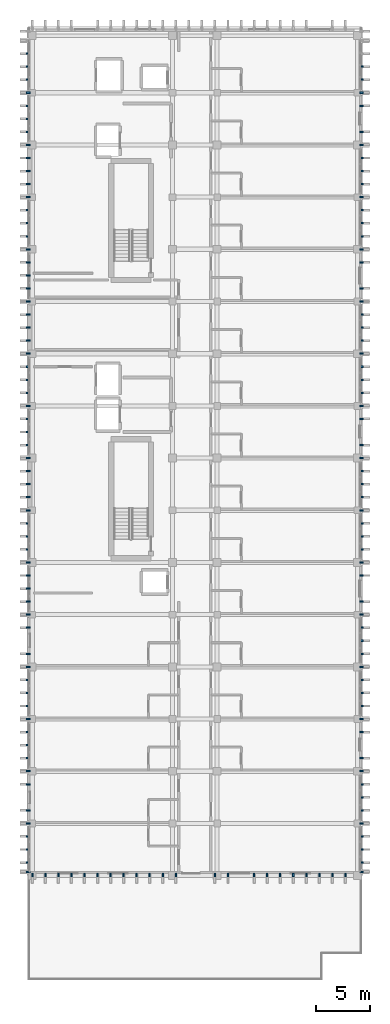
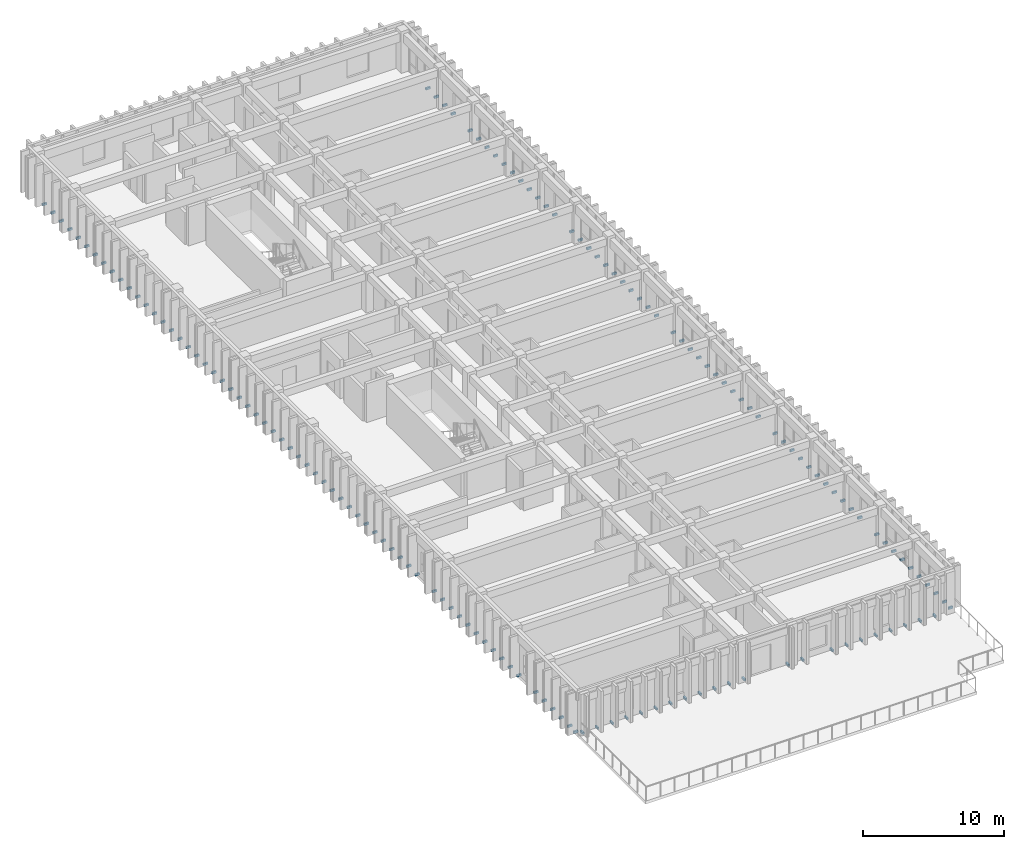
# One storey, part 52 of 59: 142 discrete accessories.
"""IFC4 building model written with IfcOpenShell, lengths in metres."""

from ifc_helpers import new_model, si_unit, direction, frame, origin, origin_2d, place, context, subcontext, project, spatial, rectangle, extrude, material, type_object, element, save


model = new_model("IFC4")

# Units and contexts
model_context = context("Model", 3, precision=1e-05, world=origin(), true_north=direction((0.0, 1.0)))
body_context = subcontext(model_context, "Body", "Model", "MODEL_VIEW")
ifc_project = project(units=[si_unit("LENGTHUNIT", "METRE"), si_unit("AREAUNIT", "SQUARE_METRE"), si_unit("VOLUMEUNIT", "CUBIC_METRE"), si_unit("PLANEANGLEUNIT", "RADIAN"), si_unit("MASSUNIT", "GRAM", prefix="KILO")], contexts=[model_context])

# Site, building, storey
site_placement = place(None, origin())
site = spatial("IfcSite", under=ifc_project, at=site_placement, CompositionType="ELEMENT")
building_placement = place(site_placement, origin())
building = spatial("IfcBuilding", under=site, at=building_placement, Name="Nakhvara Creek Congress Hotel", CompositionType="ELEMENT")
storey_placement = place(building_placement, frame((0.0, 0.0, 31.800048828125)))
storey = spatial("IfcBuildingStorey", under=building, at=storey_placement, Name="L07", CompositionType="ELEMENT", Elevation=31.800048828125)

# Discrete accessories
ifc_material = material(Name="Brushed stainless steel 316L", Category="steel")
discrete_accessory_type = type_object("IfcDiscreteAccessoryType", Name="ACC-BRK-SS316", PredefinedType="BRACKET", material=ifc_material)
for number, where, z_axis, x_axis, name in (
    (1, (179.72998046875, 48.35009765625, -0.10986328125), (0.0, 0.0, 1.0), (0.0, 1.0, 0.0), "Stainless Fin Bracket BK01-1670"),
    (2, (149.070068359375, 48.35009765625, -0.10986328125), (0.0, 0.0, 1.0), (0.0, 1.0, 0.0), "Stainless Fin Bracket BK01-1671"),
    (3, (179.72998046875, 49.199951171875, -0.10986328125), (0.0, 0.0, 1.0), (0.0, 1.0, 0.0), "Stainless Fin Bracket BK01-1672"),
    (4, (149.070068359375, 49.199951171875, -0.10986328125), (0.0, 0.0, 1.0), (0.0, 1.0, 0.0), "Stainless Fin Bracket BK01-1673"),
    (5, (179.72998046875, 50.39990234375, -0.10986328125), (0.0, 0.0, 1.0), (0.0, 1.0, 0.0), "Stainless Fin Bracket BK01-1674"),
    (6, (149.070068359375, 50.39990234375, -0.10986328125), (0.0, 0.0, 1.0), (0.0, 1.0, 0.0), "Stainless Fin Bracket BK01-1675"),
    (7, (179.72998046875, 51.60009765625, -0.10986328125), (0.0, 0.0, 1.0), (0.0, 1.0, 0.0), "Stainless Fin Bracket BK01-1676"),
    (8, (149.070068359375, 51.60009765625, -0.10986328125), (0.0, 0.0, 1.0), (0.0, 1.0, 0.0), "Stainless Fin Bracket BK01-1677"),
    (9, (179.72998046875, 52.800048828125, -0.10986328125), (0.0, 0.0, 1.0), (0.0, 1.0, 0.0), "Stainless Fin Bracket BK01-1678"),
    (10, (149.070068359375, 52.800048828125, -0.10986328125), (0.0, 0.0, 1.0), (0.0, 1.0, 0.0), "Stainless Fin Bracket BK01-1679"),
    (11, (179.72998046875, 54.0, -0.10986328125), (0.0, 0.0, 1.0), (0.0, 1.0, 0.0), "Stainless Fin Bracket BK01-1680"),
    (12, (149.070068359375, 54.0, -0.10986328125), (0.0, 0.0, 1.0), (0.0, 1.0, 0.0), "Stainless Fin Bracket BK01-1681"),
    (13, (179.72998046875, 55.199951171875, -0.10986328125), (0.0, 0.0, 1.0), (0.0, 1.0, 0.0), "Stainless Fin Bracket BK01-1682"),
    (14, (179.72998046875, 56.39990234375, -0.10986328125), (0.0, 0.0, 1.0), (0.0, 1.0, 0.0), "Stainless Fin Bracket BK01-1683"),
    (15, (149.070068359375, 56.39990234375, -0.10986328125), (0.0, 0.0, 1.0), (0.0, 1.0, 0.0), "Stainless Fin Bracket BK01-1684"),
    (16, (179.72998046875, 57.60009765625, -0.10986328125), (0.0, 0.0, 1.0), (0.0, 1.0, 0.0), "Stainless Fin Bracket BK01-1685"),
    (17, (149.070068359375, 57.60009765625, -0.10986328125), (0.0, 0.0, 1.0), (0.0, 1.0, 0.0), "Stainless Fin Bracket BK01-1686"),
    (18, (179.72998046875, 58.800048828125, -0.10986328125), (0.0, 0.0, 1.0), (0.0, 1.0, 0.0), "Stainless Fin Bracket BK01-1687"),
    (19, (149.070068359375, 58.800048828125, -0.10986328125), (0.0, 0.0, 1.0), (0.0, 1.0, 0.0), "Stainless Fin Bracket BK01-1688"),
    (20, (149.070068359375, 60.0, -0.10986328125), (0.0, 0.0, 1.0), (0.0, 1.0, 0.0), "Stainless Fin Bracket BK01-1689"),
    (21, (179.72998046875, 61.199951171875, -0.10986328125), (0.0, 0.0, 1.0), (0.0, 1.0, 0.0), "Stainless Fin Bracket BK01-1690"),
    (22, (149.070068359375, 61.199951171875, -0.10986328125), (0.0, 0.0, 1.0), (0.0, 1.0, 0.0), "Stainless Fin Bracket BK01-1691"),
    (23, (179.72998046875, 62.39990234375, -0.10986328125), (0.0, 0.0, 1.0), (0.0, 1.0, 0.0), "Stainless Fin Bracket BK01-1692"),
    (24, (149.070068359375, 62.39990234375, -0.10986328125), (0.0, 0.0, 1.0), (0.0, 1.0, 0.0), "Stainless Fin Bracket BK01-1693"),
    (25, (179.72998046875, 63.60009765625, -0.10986328125), (0.0, 0.0, 1.0), (0.0, 1.0, 0.0), "Stainless Fin Bracket BK01-1694"),
    (26, (149.070068359375, 63.60009765625, -0.10986328125), (0.0, 0.0, 1.0), (0.0, 1.0, 0.0), "Stainless Fin Bracket BK01-1695"),
    (27, (179.72998046875, 64.800048828125, -0.10986328125), (0.0, 0.0, 1.0), (0.0, 1.0, 0.0), "Stainless Fin Bracket BK01-1696"),
    (28, (149.070068359375, 64.800048828125, -0.10986328125), (0.0, 0.0, 1.0), (0.0, 1.0, 0.0), "Stainless Fin Bracket BK01-1697"),
    (29, (179.72998046875, 66.0, -0.10986328125), (0.0, 0.0, 1.0), (0.0, 1.0, 0.0), "Stainless Fin Bracket BK01-1698"),
    (30, (149.070068359375, 66.0, -0.10986328125), (0.0, 0.0, 1.0), (0.0, 1.0, 0.0), "Stainless Fin Bracket BK01-1699"),
    (31, (179.72998046875, 67.199951171875, -0.10986328125), (0.0, 0.0, 1.0), (0.0, 1.0, 0.0), "Stainless Fin Bracket BK01-1700"),
    (32, (149.070068359375, 67.199951171875, -0.10986328125), (0.0, 0.0, 1.0), (0.0, 1.0, 0.0), "Stainless Fin Bracket BK01-1701"),
    (33, (179.72998046875, 68.39990234375, -0.10986328125), (0.0, 0.0, 1.0), (0.0, 1.0, 0.0), "Stainless Fin Bracket BK01-1702"),
    (34, (149.070068359375, 68.39990234375, -0.10986328125), (0.0, 0.0, 1.0), (0.0, 1.0, 0.0), "Stainless Fin Bracket BK01-1703"),
    (35, (179.72998046875, 69.60009765625, -0.10986328125), (0.0, 0.0, 1.0), (0.0, 1.0, 0.0), "Stainless Fin Bracket BK01-1704"),
    (36, (179.72998046875, 70.800048828125, -0.10986328125), (0.0, 0.0, 1.0), (0.0, 1.0, 0.0), "Stainless Fin Bracket BK01-1705"),
    (37, (149.070068359375, 70.800048828125, -0.10986328125), (0.0, 0.0, 1.0), (0.0, 1.0, 0.0), "Stainless Fin Bracket BK01-1706"),
    (38, (179.72998046875, 72.0, -0.10986328125), (0.0, 0.0, 1.0), (0.0, 1.0, 0.0), "Stainless Fin Bracket BK01-1707"),
    (39, (149.070068359375, 72.0, -0.10986328125), (0.0, 0.0, 1.0), (0.0, 1.0, 0.0), "Stainless Fin Bracket BK01-1708"),
    (40, (179.72998046875, 73.199951171875, -0.10986328125), (0.0, 0.0, 1.0), (0.0, 1.0, 0.0), "Stainless Fin Bracket BK01-1709"),
    (41, (149.070068359375, 73.199951171875, -0.10986328125), (0.0, 0.0, 1.0), (0.0, 1.0, 0.0), "Stainless Fin Bracket BK01-1710"),
    (42, (149.070068359375, 74.39990234375, -0.10986328125), (0.0, 0.0, 1.0), (0.0, 1.0, 0.0), "Stainless Fin Bracket BK01-1711"),
    (43, (179.72998046875, 75.60009765625, -0.10986328125), (0.0, 0.0, 1.0), (0.0, 1.0, 0.0), "Stainless Fin Bracket BK01-1712"),
    (44, (149.070068359375, 75.60009765625, -0.10986328125), (0.0, 0.0, 1.0), (0.0, 1.0, 0.0), "Stainless Fin Bracket BK01-1713"),
    (45, (179.72998046875, 76.800048828125, -0.10986328125), (0.0, 0.0, 1.0), (0.0, 1.0, 0.0), "Stainless Fin Bracket BK01-1714"),
    (46, (149.070068359375, 76.800048828125, -0.10986328125), (0.0, 0.0, 1.0), (0.0, 1.0, 0.0), "Stainless Fin Bracket BK01-1715"),
    (47, (179.72998046875, 78.0, -0.10986328125), (0.0, 0.0, 1.0), (0.0, 1.0, 0.0), "Stainless Fin Bracket BK01-1716"),
    (48, (149.070068359375, 78.0, -0.10986328125), (0.0, 0.0, 1.0), (0.0, 1.0, 0.0), "Stainless Fin Bracket BK01-1717"),
    (49, (179.72998046875, 79.199951171875, -0.10986328125), (0.0, 0.0, 1.0), (0.0, 1.0, 0.0), "Stainless Fin Bracket BK01-1718"),
    (50, (149.070068359375, 79.199951171875, -0.10986328125), (0.0, 0.0, 1.0), (0.0, 1.0, 0.0), "Stainless Fin Bracket BK01-1719"),
    (51, (179.72998046875, 80.39990234375, -0.10986328125), (0.0, 0.0, 1.0), (0.0, 1.0, 0.0), "Stainless Fin Bracket BK01-1720"),
    (52, (149.070068359375, 80.39990234375, -0.10986328125), (0.0, 0.0, 1.0), (0.0, 1.0, 0.0), "Stainless Fin Bracket BK01-1721"),
    (53, (179.72998046875, 81.60009765625, -0.10986328125), (0.0, 0.0, 1.0), (0.0, 1.0, 0.0), "Stainless Fin Bracket BK01-1722"),
    (54, (149.070068359375, 81.60009765625, -0.10986328125), (0.0, 0.0, 1.0), (0.0, 1.0, 0.0), "Stainless Fin Bracket BK01-1723"),
    (55, (179.72998046875, 82.800048828125, -0.10986328125), (0.0, 0.0, 1.0), (0.0, 1.0, 0.0), "Stainless Fin Bracket BK01-1724"),
    (56, (149.070068359375, 82.800048828125, -0.10986328125), (0.0, 0.0, 1.0), (0.0, 1.0, 0.0), "Stainless Fin Bracket BK01-1725"),
    (57, (179.72998046875, 84.0, -0.10986328125), (0.0, 0.0, 1.0), (0.0, 1.0, 0.0), "Stainless Fin Bracket BK01-1726"),
    (58, (149.070068359375, 84.0, -0.10986328125), (0.0, 0.0, 1.0), (0.0, 1.0, 0.0), "Stainless Fin Bracket BK01-1727"),
    (59, (179.72998046875, 85.199951171875, -0.10986328125), (0.0, 0.0, 1.0), (0.0, 1.0, 0.0), "Stainless Fin Bracket BK01-1728"),
    (60, (149.070068359375, 85.199951171875, -0.10986328125), (0.0, 0.0, 1.0), (0.0, 1.0, 0.0), "Stainless Fin Bracket BK01-1729"),
    (61, (179.72998046875, 86.39990234375, -0.10986328125), (0.0, 0.0, 1.0), (0.0, 1.0, 0.0), "Stainless Fin Bracket BK01-1730"),
    (62, (149.070068359375, 86.39990234375, -0.10986328125), (0.0, 0.0, 1.0), (0.0, 1.0, 0.0), "Stainless Fin Bracket BK01-1731"),
    (63, (179.72998046875, 87.60009765625, -0.10986328125), (0.0, 0.0, 1.0), (0.0, 1.0, 0.0), "Stainless Fin Bracket BK01-1732"),
    (64, (149.070068359375, 87.60009765625, -0.10986328125), (0.0, 0.0, 1.0), (0.0, 1.0, 0.0), "Stainless Fin Bracket BK01-1733"),
    (65, (149.070068359375, 88.800048828125, -0.10986328125), (0.0, 0.0, 1.0), (0.0, 1.0, 0.0), "Stainless Fin Bracket BK01-1734"),
    (66, (179.72998046875, 90.0, -0.10986328125), (0.0, 0.0, 1.0), (0.0, 1.0, 0.0), "Stainless Fin Bracket BK01-1735"),
    (67, (149.070068359375, 90.0, -0.10986328125), (0.0, 0.0, 1.0), (0.0, 1.0, 0.0), "Stainless Fin Bracket BK01-1736"),
    (68, (179.72998046875, 91.199951171875, -0.10986328125), (0.0, 0.0, 1.0), (0.0, 1.0, 0.0), "Stainless Fin Bracket BK01-1737"),
    (69, (149.070068359375, 91.199951171875, -0.10986328125), (0.0, 0.0, 1.0), (0.0, 1.0, 0.0), "Stainless Fin Bracket BK01-1738"),
    (70, (179.72998046875, 92.39990234375, -0.10986328125), (0.0, 0.0, 1.0), (0.0, 1.0, 0.0), "Stainless Fin Bracket BK01-1739"),
    (71, (149.070068359375, 92.39990234375, -0.10986328125), (0.0, 0.0, 1.0), (0.0, 1.0, 0.0), "Stainless Fin Bracket BK01-1740"),
    (72, (179.72998046875, 93.60009765625, -0.10986328125), (0.0, 0.0, 1.0), (0.0, 1.0, 0.0), "Stainless Fin Bracket BK01-1741"),
    (73, (149.070068359375, 93.60009765625, -0.10986328125), (0.0, 0.0, 1.0), (0.0, 1.0, 0.0), "Stainless Fin Bracket BK01-1742"),
    (74, (179.72998046875, 94.800048828125, -0.10986328125), (0.0, 0.0, 1.0), (0.0, 1.0, 0.0), "Stainless Fin Bracket BK01-1743"),
    (75, (149.070068359375, 94.800048828125, -0.10986328125), (0.0, 0.0, 1.0), (0.0, 1.0, 0.0), "Stainless Fin Bracket BK01-1744"),
    (76, (179.72998046875, 96.0, -0.10986328125), (0.0, 0.0, 1.0), (0.0, 1.0, 0.0), "Stainless Fin Bracket BK01-1745"),
    (77, (149.070068359375, 96.0, -0.10986328125), (0.0, 0.0, 1.0), (0.0, 1.0, 0.0), "Stainless Fin Bracket BK01-1746"),
    (78, (179.72998046875, 97.199951171875, -0.10986328125), (0.0, 0.0, 1.0), (0.0, 1.0, 0.0), "Stainless Fin Bracket BK01-1747"),
    (79, (149.070068359375, 97.199951171875, -0.10986328125), (0.0, 0.0, 1.0), (0.0, 1.0, 0.0), "Stainless Fin Bracket BK01-1748"),
    (80, (179.72998046875, 98.39990234375, -0.10986328125), (0.0, 0.0, 1.0), (0.0, 1.0, 0.0), "Stainless Fin Bracket BK01-1749"),
    (81, (149.070068359375, 98.39990234375, -0.10986328125), (0.0, 0.0, 1.0), (0.0, 1.0, 0.0), "Stainless Fin Bracket BK01-1750"),
    (82, (179.72998046875, 99.60009765625, -0.10986328125), (0.0, 0.0, 1.0), (0.0, 1.0, 0.0), "Stainless Fin Bracket BK01-1751"),
    (83, (149.070068359375, 99.60009765625, -0.10986328125), (0.0, 0.0, 1.0), (0.0, 1.0, 0.0), "Stainless Fin Bracket BK01-1752"),
    (84, (179.72998046875, 100.800048828125, -0.10986328125), (0.0, 0.0, 1.0), (0.0, 1.0, 0.0), "Stainless Fin Bracket BK01-1753"),
    (85, (149.070068359375, 100.800048828125, -0.10986328125), (0.0, 0.0, 1.0), (0.0, 1.0, 0.0), "Stainless Fin Bracket BK01-1754"),
    (86, (179.72998046875, 102.0, -0.10986328125), (0.0, 0.0, 1.0), (0.0, 1.0, 0.0), "Stainless Fin Bracket BK01-1755"),
    (87, (149.070068359375, 102.0, -0.10986328125), (0.0, 0.0, 1.0), (0.0, 1.0, 0.0), "Stainless Fin Bracket BK01-1756"),
    (88, (149.070068359375, 103.199951171875, -0.10986328125), (0.0, 0.0, 1.0), (0.0, 1.0, 0.0), "Stainless Fin Bracket BK01-1757"),
    (89, (179.72998046875, 104.39990234375, -0.10986328125), (0.0, 0.0, 1.0), (0.0, 1.0, 0.0), "Stainless Fin Bracket BK01-1758"),
    (90, (149.070068359375, 104.39990234375, -0.10986328125), (0.0, 0.0, 1.0), (0.0, 1.0, 0.0), "Stainless Fin Bracket BK01-1759"),
    (91, (179.72998046875, 105.60009765625, -0.10986328125), (0.0, 0.0, 1.0), (0.0, 1.0, 0.0), "Stainless Fin Bracket BK01-1760"),
    (92, (149.070068359375, 105.60009765625, -0.10986328125), (0.0, 0.0, 1.0), (0.0, 1.0, 0.0), "Stainless Fin Bracket BK01-1761"),
    (93, (179.72998046875, 106.800048828125, -0.10986328125), (0.0, 0.0, 1.0), (0.0, 1.0, 0.0), "Stainless Fin Bracket BK01-1762"),
    (94, (149.070068359375, 106.800048828125, -0.10986328125), (0.0, 0.0, 1.0), (0.0, 1.0, 0.0), "Stainless Fin Bracket BK01-1763"),
    (95, (179.72998046875, 108.0, -0.10986328125), (0.0, 0.0, 1.0), (0.0, 1.0, 0.0), "Stainless Fin Bracket BK01-1764"),
    (96, (149.070068359375, 108.0, -0.10986328125), (0.0, 0.0, 1.0), (0.0, 1.0, 0.0), "Stainless Fin Bracket BK01-1765"),
    (97, (179.72998046875, 109.199951171875, -0.10986328125), (0.0, 0.0, 1.0), (0.0, 1.0, 0.0), "Stainless Fin Bracket BK01-1766"),
    (98, (149.070068359375, 109.199951171875, -0.10986328125), (0.0, 0.0, 1.0), (0.0, 1.0, 0.0), "Stainless Fin Bracket BK01-1767"),
    (99, (179.72998046875, 110.39990234375, -0.10986328125), (0.0, 0.0, 1.0), (0.0, 1.0, 0.0), "Stainless Fin Bracket BK01-1768"),
    (100, (149.070068359375, 110.39990234375, -0.10986328125), (0.0, 0.0, 1.0), (0.0, 1.0, 0.0), "Stainless Fin Bracket BK01-1769"),
    (101, (179.72998046875, 111.60009765625, -0.10986328125), (0.0, 0.0, 1.0), (0.0, 1.0, 0.0), "Stainless Fin Bracket BK01-1770"),
    (102, (149.070068359375, 111.60009765625, -0.10986328125), (0.0, 0.0, 1.0), (0.0, 1.0, 0.0), "Stainless Fin Bracket BK01-1771"),
    (103, (179.72998046875, 112.800048828125, -0.10986328125), (0.0, 0.0, 1.0), (0.0, 1.0, 0.0), "Stainless Fin Bracket BK01-1772"),
    (104, (149.070068359375, 112.800048828125, -0.10986328125), (0.0, 0.0, 1.0), (0.0, 1.0, 0.0), "Stainless Fin Bracket BK01-1773"),
    (105, (179.72998046875, 114.0, -0.10986328125), (0.0, 0.0, 1.0), (0.0, 1.0, 0.0), "Stainless Fin Bracket BK01-1774"),
    (106, (149.070068359375, 114.0, -0.10986328125), (0.0, 0.0, 1.0), (0.0, 1.0, 0.0), "Stainless Fin Bracket BK01-1775"),
    (107, (179.72998046875, 115.199951171875, -0.10986328125), (0.0, 0.0, 1.0), (0.0, 1.0, 0.0), "Stainless Fin Bracket BK01-1776"),
    (108, (149.070068359375, 115.199951171875, -0.10986328125), (0.0, 0.0, 1.0), (0.0, 1.0, 0.0), "Stainless Fin Bracket BK01-1777"),
    (109, (179.72998046875, 116.39990234375, -0.10986328125), (0.0, 0.0, 1.0), (0.0, 1.0, 0.0), "Stainless Fin Bracket BK01-1778"),
    (110, (149.070068359375, 116.39990234375, -0.10986328125), (0.0, 0.0, 1.0), (0.0, 1.0, 0.0), "Stainless Fin Bracket BK01-1779"),
    (111, (149.070068359375, 117.60009765625, -0.10986328125), (0.0, 0.0, 1.0), (0.0, 1.0, 0.0), "Stainless Fin Bracket BK01-1780"),
    (112, (179.72998046875, 118.800048828125, -0.10986328125), (0.0, 0.0, 1.0), (0.0, 1.0, 0.0), "Stainless Fin Bracket BK01-1781"),
    (113, (149.070068359375, 118.800048828125, -0.10986328125), (0.0, 0.0, 1.0), (0.0, 1.0, 0.0), "Stainless Fin Bracket BK01-1782"),
    (114, (179.72998046875, 120.0, -0.10986328125), (0.0, 0.0, 1.0), (0.0, 1.0, 0.0), "Stainless Fin Bracket BK01-1783"),
    (115, (149.070068359375, 120.0, -0.10986328125), (0.0, 0.0, 1.0), (0.0, 1.0, 0.0), "Stainless Fin Bracket BK01-1784"),
    (116, (179.72998046875, 121.199951171875, -0.10986328125), (0.0, 0.0, 1.0), (0.0, 1.0, 0.0), "Stainless Fin Bracket BK01-1785"),
    (117, (149.070068359375, 121.199951171875, -0.10986328125), (0.0, 0.0, 1.0), (0.0, 1.0, 0.0), "Stainless Fin Bracket BK01-1786"),
    (118, (179.72998046875, 122.39990234375, -0.10986328125), (0.0, 0.0, 1.0), (0.0, 1.0, 0.0), "Stainless Fin Bracket BK01-1787"),
    (119, (149.070068359375, 122.39990234375, -0.10986328125), (0.0, 0.0, 1.0), (0.0, 1.0, 0.0), "Stainless Fin Bracket BK01-1788"),
    (120, (149.070068359375, 123.60009765625, -0.10986328125), (0.0, 0.0, 1.0), (0.0, 1.0, 0.0), "Stainless Fin Bracket BK01-1790"),
    (121, (149.449951171875, 48.06005859375, -0.10986328125), (0.0, 0.0, 1.0), (1.0, 0.0, 0.0), "Stainless Fin Bracket BK01-1796"),
    (122, (150.64990234375, 48.06005859375, -0.10986328125), (0.0, 0.0, 1.0), (1.0, 0.0, 0.0), "Stainless Fin Bracket BK01-1798"),
    (123, (151.85009765625, 48.06005859375, -0.10986328125), (0.0, 0.0, 1.0), (1.0, 0.0, 0.0), "Stainless Fin Bracket BK01-1800"),
    (124, (153.050048828125, 48.06005859375, -0.10986328125), (0.0, 0.0, 1.0), (1.0, 0.0, 0.0), "Stainless Fin Bracket BK01-1802"),
    (125, (154.25, 48.06005859375, -0.10986328125), (0.0, 0.0, 1.0), (1.0, 0.0, 0.0), "Stainless Fin Bracket BK01-1803"),
    (126, (155.449951171875, 48.06005859375, -0.10986328125), (0.0, 0.0, 1.0), (1.0, 0.0, 0.0), "Stainless Fin Bracket BK01-1805"),
    (127, (156.64990234375, 48.06005859375, -0.10986328125), (0.0, 0.0, 1.0), (1.0, 0.0, 0.0), "Stainless Fin Bracket BK01-1807"),
    (128, (157.85009765625, 48.06005859375, -0.10986328125), (0.0, 0.0, 1.0), (1.0, 0.0, 0.0), "Stainless Fin Bracket BK01-1809"),
    (129, (159.050048828125, 48.06005859375, -0.10986328125), (0.0, 0.0, 1.0), (1.0, 0.0, 0.0), "Stainless Fin Bracket BK01-1811"),
    (130, (160.25, 48.06005859375, -0.10986328125), (0.0, 0.0, 1.0), (1.0, 0.0, 0.0), "Stainless Fin Bracket BK01-1813"),
    (131, (161.449951171875, 48.06005859375, -0.10986328125), (0.0, 0.0, 1.0), (1.0, 0.0, 0.0), "Stainless Fin Bracket BK01-1815"),
    (132, (162.64990234375, 48.06005859375, -0.10986328125), (0.0, 0.0, 1.0), (1.0, 0.0, 0.0), "Stainless Fin Bracket BK01-1817"),
    (133, (166.25, 48.06005859375, -0.10986328125), (0.0, 0.0, 1.0), (1.0, 0.0, 0.0), "Stainless Fin Bracket BK01-1821"),
    (134, (167.449951171875, 48.06005859375, -0.10986328125), (0.0, 0.0, 1.0), (1.0, 0.0, 0.0), "Stainless Fin Bracket BK01-1823"),
    (135, (169.85009765625, 48.06005859375, -0.10986328125), (0.0, 0.0, 1.0), (1.0, 0.0, 0.0), "Stainless Fin Bracket BK01-1826"),
    (136, (171.050048828125, 48.06005859375, -0.10986328125), (0.0, 0.0, 1.0), (1.0, 0.0, 0.0), "Stainless Fin Bracket BK01-1828"),
    (137, (172.25, 48.06005859375, -0.10986328125), (0.0, 0.0, 1.0), (1.0, 0.0, 0.0), "Stainless Fin Bracket BK01-1830"),
    (138, (173.449951171875, 48.06005859375, -0.10986328125), (0.0, 0.0, 1.0), (1.0, 0.0, 0.0), "Stainless Fin Bracket BK01-1832"),
    (139, (174.64990234375, 48.06005859375, -0.10986328125), (0.0, 0.0, 1.0), (1.0, 0.0, 0.0), "Stainless Fin Bracket BK01-1834"),
    (140, (175.85009765625, 48.06005859375, -0.10986328125), (0.0, 0.0, 1.0), (1.0, 0.0, 0.0), "Stainless Fin Bracket BK01-1835"),
    (141, (177.050048828125, 48.06005859375, -0.10986328125), (0.0, 0.0, 1.0), (1.0, 0.0, 0.0), "Stainless Fin Bracket BK01-1837"),
    (142, (178.25, 48.06005859375, -0.10986328125), (0.0, 0.0, 1.0), (1.0, 0.0, 0.0), "Stainless Fin Bracket BK01-1839"),
):
    element("IfcDiscreteAccessory", number, at=place(storey_placement, frame(where, z_axis=z_axis, x_axis=x_axis)), inside=storey, type_object=discrete_accessory_type, Name=name, PredefinedType="BRACKET", context=body_context, shape_type="SweptSolid", body=[
        extrude(rectangle(XDim=0.139892578125, YDim=0.360107421875, at=origin_2d()), origin(), (0.0, 0.0, 1.0), 0.179931640625),
    ])

save(model, "model.ifc")
